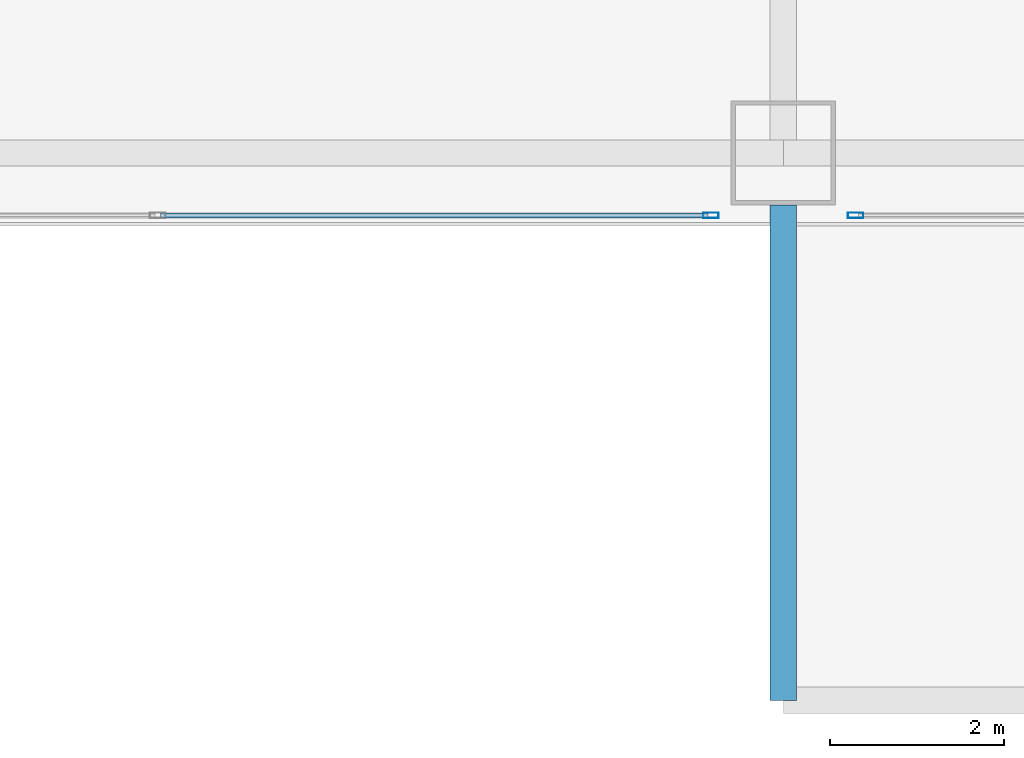
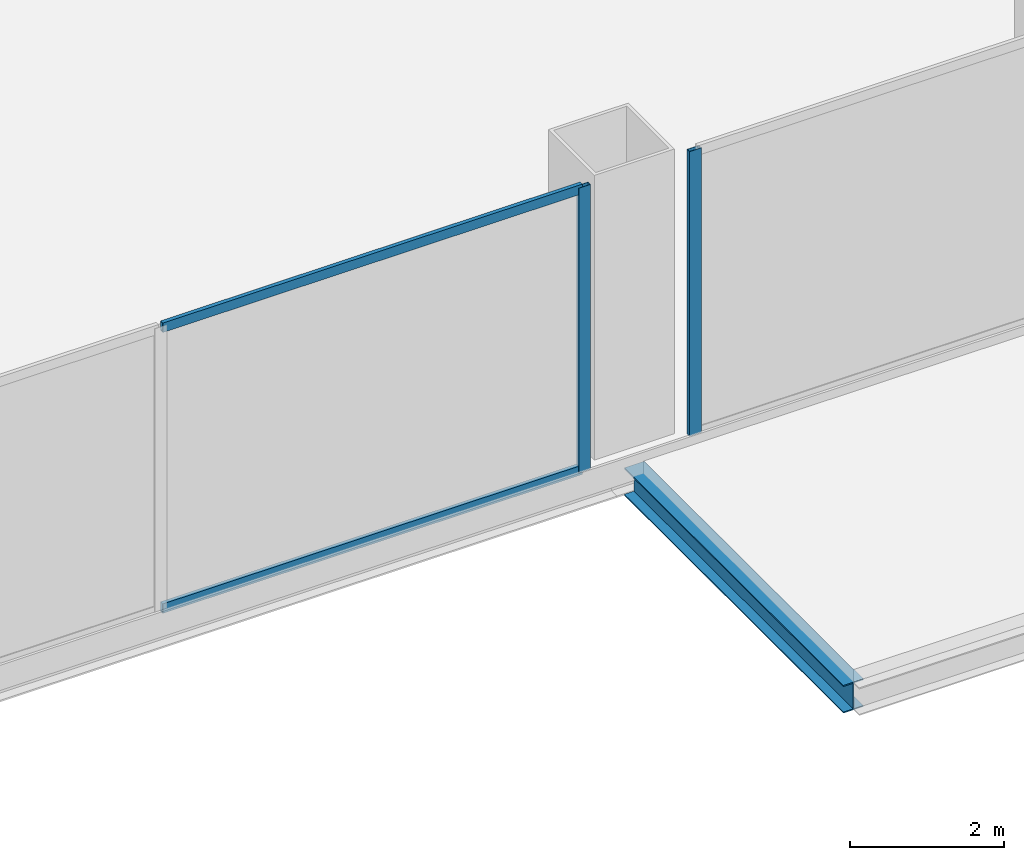
# One storey, part 4 of 42: 4 members, 1 beam, 2 elements without a shape of their own.
"""IFC4 building model written with IfcOpenShell, lengths in metres."""

from ifc_helpers import new_model, si_unit, direction, frame, origin, origin_2d, place, context, subcontext, project, spatial, hollow_rectangle, i_section, extrude, source, transform, mapped, material, layer, layer_set, material_profile, profile_set, type_object, element, aggregate, save


model = new_model("IFC4")

# Units and contexts
model_context = context("Model", 3, precision=1e-05, world=origin(), true_north=direction((0.0, 1.0)))
body_context = subcontext(model_context, "Body", "Model", "MODEL_VIEW")
ifc_project = project(units=[si_unit("LENGTHUNIT", "METRE"), si_unit("AREAUNIT", "SQUARE_METRE"), si_unit("VOLUMEUNIT", "CUBIC_METRE"), si_unit("PLANEANGLEUNIT", "RADIAN"), si_unit("MASSUNIT", "GRAM", prefix="KILO"), si_unit("THERMODYNAMICTEMPERATUREUNIT", "KELVIN"), si_unit("POWERUNIT", "WATT")], contexts=[model_context])

# Site, building, storey
site_placement = place(None, origin())
site = spatial("IfcSite", under=ifc_project, at=site_placement, CompositionType="ELEMENT")
building_placement = place(site_placement, origin())
building = spatial("IfcBuilding", under=site, at=building_placement, Name="Yunzhuo Pagoda Commons", CompositionType="ELEMENT")
storey_placement = place(building_placement, frame((0.0, 0.0, 4.800048828125)))
storey = spatial("IfcBuildingStorey", under=building, at=storey_placement, Name="L02", CompositionType="ELEMENT", Elevation=4.800048828125)

# Beam
ifc_material_1 = material(Name="Structural steel Q355B", Category="steel")
ifc_material_profile_1 = material_profile(ifc_material_1, i_section(OverallWidth=0.300048828125, OverallDepth=0.43994140625, WebThickness=0.010986328125, FlangeThickness=0.01806640625, at=origin_2d()), Name="Structural steel Q355B")
ifc_profile_set_1 = profile_set([ifc_material_profile_1], Name="Structural steel Q355B")
beam_type = type_object("IfcBeamType", Name="B-SP2 Beam HM 440x300x11x18", PredefinedType="BEAM", material=ifc_profile_set_1)
shared_shape_1 = source(origin(), body_context, "Body", "SweptSolid", [
    extrude(i_section(OverallWidth=0.300048828125, OverallDepth=0.43994140625, WebThickness=0.010986328125, FlangeThickness=0.01806640625, at=origin_2d()), origin(), (0.0, 0.0, 1.0), 5.699951171875),
])
beam_placement = place(storey_placement, frame((19.199951171875, 6.199951171875, -0.5), z_axis=(0.0, -1.0, 0.0), x_axis=(1.0, 0.0, 0.0)))
element("IfcBeam", 1, at=beam_placement, inside=storey, type_object=beam_type, Name="South canopy girder 1", PredefinedType="BEAM", context=body_context, shape_type="MappedRepresentation", body=[
    mapped(shared_shape_1, transform((0.0, 0.0, 0.0), scale=1.0)),
])

# Curtain wall, member
ifc_material_2 = material(Name="Anodized aluminium 6063-T6", Category="aluminium")
ifc_layer = layer(ifc_material_2, 0.179931640625)
ifc_layer_set = layer_set([ifc_layer], Name="Anodized aluminium 6063-T6")
curtain_wall_type = type_object("IfcCurtainWallType", Name="CW-POD Waterfront Podium Curtain Wall", PredefinedType="NOTDEFINED", material=ifc_layer_set)
curtain_wall_1_placement = place(storey_placement, origin())
curtain_wall_1 = element("IfcCurtainWall", 2, at=curtain_wall_1_placement, inside=storey, type_object=curtain_wall_type, Name="L02 curtain wall CW-L02-S1", PredefinedType="NOTDEFINED")
ifc_material_profile_2 = material_profile(ifc_material_2, hollow_rectangle(XDim=0.06494140625, YDim=0.179931640625, WallThickness=0.00390625, at=origin_2d()), Name="Anodized aluminium 6063-T6")
ifc_profile_set_2 = profile_set([ifc_material_profile_2], Name="Anodized aluminium 6063-T6")
member_type_1 = type_object("IfcMemberType", Name="CW-POD-M Mullion RHS 180x65x4", PredefinedType="MULLION", material=ifc_profile_set_2)
shared_shape_2 = source(origin(), body_context, "Body", "SweptSolid", [
    extrude(hollow_rectangle(XDim=0.06494140625, YDim=0.179931640625, WallThickness=0.00390625, at=origin_2d()), origin(), (0.0, 0.0, 1.0), 4.52001953125),
])
member_1_placement = place(storey_placement, frame((18.367431640625, 6.080078125, 0.0), z_axis=(0.0, 0.0, 1.0), x_axis=(0.0, 1.0, 0.0)))
member_1 = element("IfcMember", 3, at=member_1_placement, type_object=member_type_1, Name="CW mullion 3", PredefinedType="MULLION", context=body_context, shape_type="MappedRepresentation", body=[
    mapped(shared_shape_2, transform((0.0, 0.0, 0.0), scale=1.0)),
])

curtain_wall_2_placement = place(storey_placement, origin())
curtain_wall_2 = element("IfcCurtainWall", 4, at=curtain_wall_2_placement, inside=storey, type_object=curtain_wall_type, Name="L02 curtain wall CW-L02-S2", PredefinedType="NOTDEFINED")
member_2_placement = place(storey_placement, frame((20.032470703125, 6.080078125, 0.0), z_axis=(0.0, 0.0, 1.0), x_axis=(0.0, 1.0, 0.0)))
member_2 = element("IfcMember", 5, at=member_2_placement, type_object=member_type_1, Name="CW mullion 1", PredefinedType="MULLION", context=body_context, shape_type="MappedRepresentation", body=[
    mapped(shared_shape_2, transform((0.0, 0.0, 0.0), scale=1.0)),
])
aggregate(curtain_wall_2, [member_2])

# Member
ifc_material_profile_3 = material_profile(ifc_material_2, hollow_rectangle(XDim=0.06005859375, YDim=0.14990234375, WallThickness=0.00390625, at=origin_2d()), Name="Anodized aluminium 6063-T6")
ifc_profile_set_3 = profile_set([ifc_material_profile_3], Name="Anodized aluminium 6063-T6")
member_type_2 = type_object("IfcMemberType", Name="CW-POD-T Transom RHS 150x60x4", PredefinedType="USERDEFINED", material=ifc_profile_set_3)
shared_shape_3 = source(origin(), body_context, "Body", "SweptSolid", [
    extrude(hollow_rectangle(XDim=0.06005859375, YDim=0.14990234375, WallThickness=0.00390625, at=origin_2d()), origin(), (0.0, 0.0, 1.0), 6.302490234375),
])
member_3_placement = place(storey_placement, frame((12.032470703125, 6.080078125, 0.030029296875), z_axis=(1.0, 0.0, 0.0), x_axis=(0.0, 1.0, 0.0)))
member_3 = element("IfcMember", 6, at=member_3_placement, type_object=member_type_2, Name="CW transom 2.1", ObjectType="TRANSOM", PredefinedType="USERDEFINED", context=body_context, shape_type="MappedRepresentation", body=[
    mapped(shared_shape_3, transform((0.0, 0.0, 0.0), scale=1.0)),
])

member_4_placement = place(storey_placement, frame((12.032470703125, 6.080078125, 4.489990234375), z_axis=(1.0, 0.0, 0.0), x_axis=(0.0, 1.0, 0.0)))
member_4 = element("IfcMember", 7, at=member_4_placement, type_object=member_type_2, Name="CW transom 2.2", ObjectType="TRANSOM", PredefinedType="USERDEFINED", context=body_context, shape_type="MappedRepresentation", body=[
    mapped(shared_shape_3, transform((0.0, 0.0, 0.0), scale=1.0)),
])

aggregate(curtain_wall_1, [member_1, member_3, member_4])

save(model, "model.ifc")
